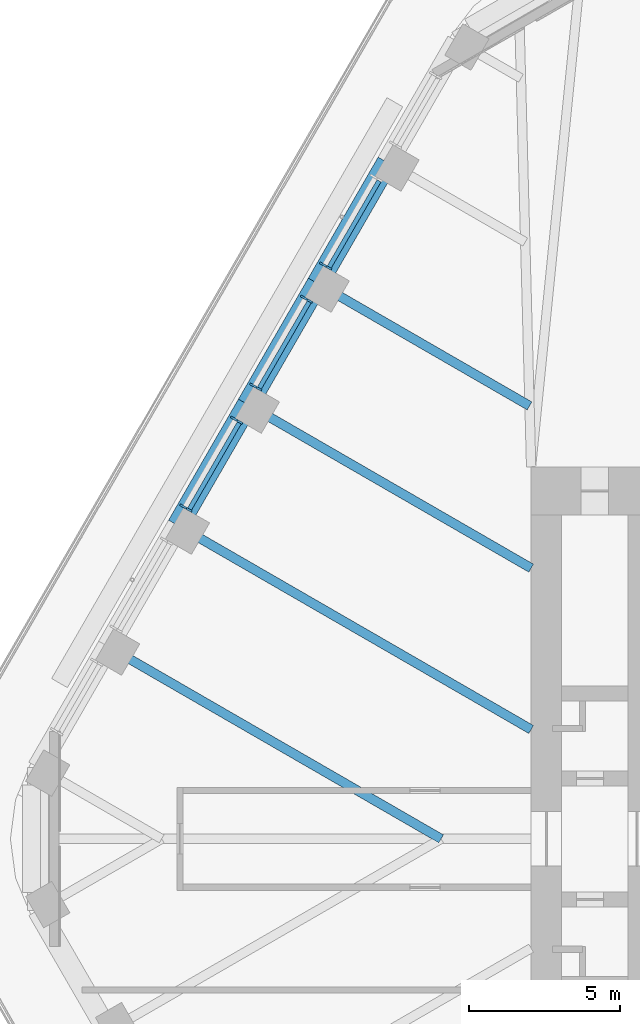
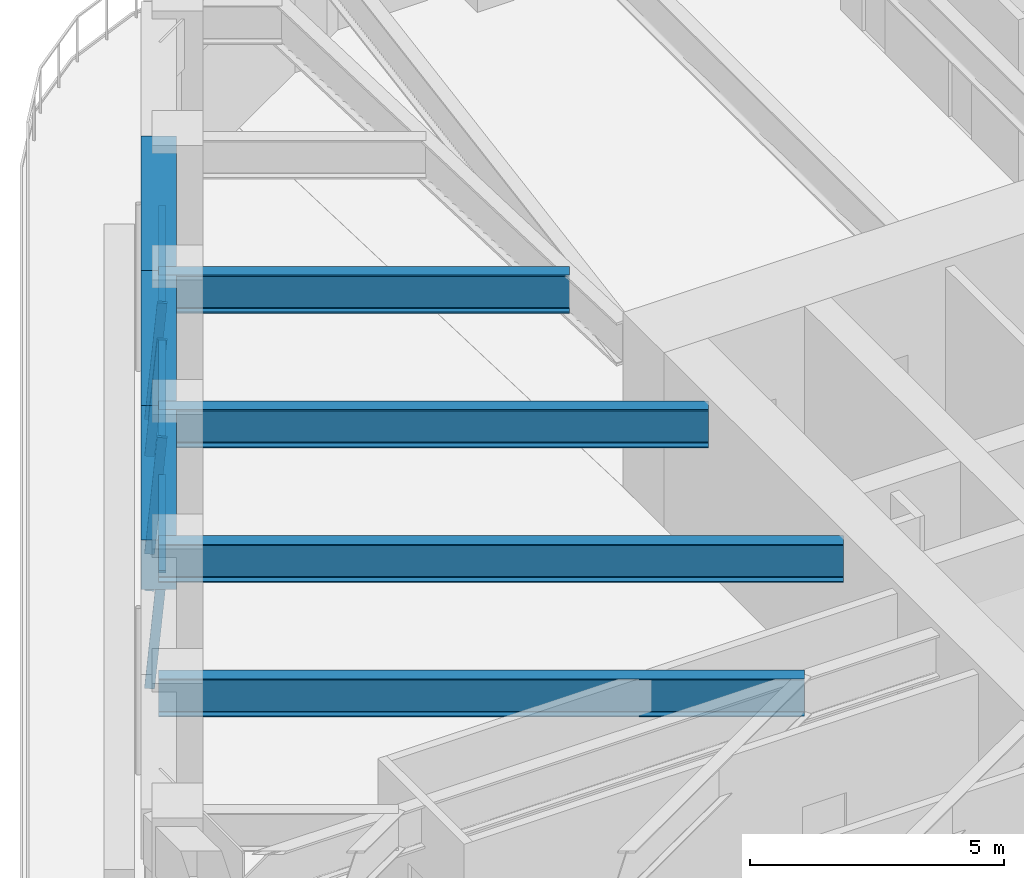
# One storey, part 7 of 20: 8 members, 7 beams, 3 elements without a shape of their own.
"""IFC4 building model written with IfcOpenShell, lengths in metres."""

from ifc_helpers import new_model, si_unit, direction, frame, origin, origin_2d, place, context, subcontext, project, spatial, rectangle, i_section, extrude, material, material_profile, profile_set, type_object, element, aggregate, save


model = new_model("IFC4")

# Units and contexts
model_context = context("Model", 3, precision=1e-05, world=origin(), true_north=direction((0.0, 1.0)))
body_context = subcontext(model_context, "Body", "Model", "MODEL_VIEW")
ifc_project = project(units=[si_unit("LENGTHUNIT", "METRE"), si_unit("AREAUNIT", "SQUARE_METRE"), si_unit("VOLUMEUNIT", "CUBIC_METRE"), si_unit("PLANEANGLEUNIT", "RADIAN"), si_unit("MASSUNIT", "GRAM", prefix="KILO")], contexts=[model_context])

# Site, building, storey
site_placement = place(None, origin())
site = spatial("IfcSite", under=ifc_project, at=site_placement, CompositionType="ELEMENT")
building_placement = place(site_placement, origin())
building = spatial("IfcBuilding", under=site, at=building_placement, Name="Tarfa Lantern Tower", CompositionType="ELEMENT")
storey_placement = place(building_placement, frame((0.0, 0.0, 265.89990234375)))
storey = spatial("IfcBuildingStorey", under=building, at=storey_placement, Name="L60", CompositionType="ELEMENT", Elevation=265.89990234375)

# Curtain wall, member
ifc_material_1 = material(Name="Aluminium framed curtain wall", Category="aluminium")
curtain_wall_type = type_object("IfcCurtainWallType", Name="CW3 CANTED GLAZING HIGH ZONE 2800", PredefinedType="USERDEFINED", material=ifc_material_1)
curtain_wall_1_placement = place(storey_placement, origin())
curtain_wall_1 = element("IfcCurtainWall", 1, at=curtain_wall_1_placement, inside=storey, type_object=curtain_wall_type, Name="CW3 NW L60", ObjectType="CURTAIN WALL", PredefinedType="USERDEFINED")
ifc_material_2 = material(Name="Aluminium mullion", Category="aluminium")
ifc_material_profile_1 = material_profile(ifc_material_2, rectangle(XDim=0.06494140625, YDim=0.199951171875, at=origin_2d()), Name="AL MULLION 65x200")
ifc_profile_set_1 = profile_set([ifc_material_profile_1], Name="Aluminium mullion")
member_type_1 = type_object("IfcMemberType", Name="CWM1 MULLION 65x200", PredefinedType="MULLION", material=ifc_profile_set_1)
member_1_placement = place(storey_placement, frame((-22.402587890625, 18.997802734375, 0.0), z_axis=(0.077032386753, -0.044465143199, 0.996036576854), x_axis=(0.499919672301, 0.866071776036, 0.0)))
member_1 = element("IfcMember", 2, at=member_1_placement, type_object=member_type_1, Name="CW3 mullion 2", PredefinedType="MULLION", context=body_context, shape_type="SweptSolid", body=[
    extrude(rectangle(XDim=0.06494140625, YDim=0.199951171875, at=origin_2d()), origin(), (0.0, 0.0, 1.0), 2.811279296875),
])

# Curtain wall, members
curtain_wall_2_placement = place(storey_placement, origin())
curtain_wall_2 = element("IfcCurtainWall", 3, at=curtain_wall_2_placement, inside=storey, type_object=curtain_wall_type, Name="CW3 NW L60", ObjectType="CURTAIN WALL", PredefinedType="USERDEFINED")
member_2_placement = place(storey_placement, frame((-23.034912109375, 17.90234375, 0.0), z_axis=(0.077032386753, -0.044465143199, 0.996036576854), x_axis=(0.499919672301, 0.866071776036, 0.0)))
member_2 = element("IfcMember", 4, at=member_2_placement, type_object=member_type_1, Name="CW3 mullion 1", PredefinedType="MULLION", context=body_context, shape_type="SweptSolid", body=[
    extrude(rectangle(XDim=0.06494140625, YDim=0.199951171875, at=origin_2d()), origin(), (0.0, 0.0, 1.0), 2.811279296875),
])
member_3_placement = place(storey_placement, frame((-24.7119140625, 14.997802734375, 0.0), z_axis=(0.077032386753, -0.044465143199, 0.996036576854), x_axis=(0.499919672301, 0.866071776036, 0.0)))
member_3 = element("IfcMember", 5, at=member_3_placement, type_object=member_type_1, Name="CW3 mullion 2", PredefinedType="MULLION", context=body_context, shape_type="SweptSolid", body=[
    extrude(rectangle(XDim=0.06494140625, YDim=0.199951171875, at=origin_2d()), origin(), (0.0, 0.0, 1.0), 2.811279296875),
])

curtain_wall_3_placement = place(storey_placement, origin())
curtain_wall_3 = element("IfcCurtainWall", 6, at=curtain_wall_3_placement, inside=storey, type_object=curtain_wall_type, Name="CW3 NW L60", ObjectType="CURTAIN WALL", PredefinedType="USERDEFINED")
member_4_placement = place(storey_placement, frame((-25.344482421875, 13.90234375, 0.0), z_axis=(0.077032386753, -0.044465143199, 0.996036576854), x_axis=(0.499919672301, 0.866071776036, 0.0)))
member_4 = element("IfcMember", 7, at=member_4_placement, type_object=member_type_1, Name="CW3 mullion 1", PredefinedType="MULLION", context=body_context, shape_type="SweptSolid", body=[
    extrude(rectangle(XDim=0.06494140625, YDim=0.199951171875, at=origin_2d()), origin(), (0.0, 0.0, 1.0), 2.811279296875),
])
member_5_placement = place(storey_placement, frame((-27.021240234375, 10.997802734375, 0.0), z_axis=(0.077032386753, -0.044465143199, 0.996036576854), x_axis=(0.499919672301, 0.866071776036, 0.0)))
member_5 = element("IfcMember", 8, at=member_5_placement, type_object=member_type_1, Name="CW3 mullion 2", PredefinedType="MULLION", context=body_context, shape_type="SweptSolid", body=[
    extrude(rectangle(XDim=0.06494140625, YDim=0.199951171875, at=origin_2d()), origin(), (0.0, 0.0, 1.0), 2.811279296875),
])

# Member
ifc_material_3 = material(Name="Aluminium transom", Category="aluminium")
ifc_material_profile_2 = material_profile(ifc_material_3, rectangle(XDim=0.14990234375, YDim=0.06494140625, at=origin_2d()), Name="AL TRANSOM 150x65")
ifc_profile_set_2 = profile_set([ifc_material_profile_2], Name="Aluminium transom")
member_type_2 = type_object("IfcMemberType", Name="CWT1 TRANSOM 150x65", PredefinedType="USERDEFINED", material=ifc_profile_set_2)
member_6_placement = place(storey_placement, frame((-20.52783203125, 21.75048828125, 2.767578125), z_axis=(-0.499979497339, -0.866037240677, 0.0), x_axis=(0.866037240677, -0.499979497339, 0.0)))
member_6 = element("IfcMember", 9, at=member_6_placement, type_object=member_type_2, Name="CW3 transom 1.2", ObjectType="TRANSOM", PredefinedType="USERDEFINED", context=body_context, shape_type="SweptSolid", body=[
    extrude(rectangle(XDim=0.14990234375, YDim=0.06494140625, at=origin_2d()), origin(), (0.0, 0.0, 1.0), 3.288818359375),
])

aggregate(curtain_wall_1, [member_1, member_6])

member_7_placement = place(storey_placement, frame((-22.837158203125, 17.75048828125, 2.767578125), z_axis=(-0.500035172766, -0.866005095826, 0.0), x_axis=(0.866005095826, -0.500035172766, 0.0)))
member_7 = element("IfcMember", 10, at=member_7_placement, type_object=member_type_2, Name="CW3 transom 1.2", ObjectType="TRANSOM", PredefinedType="USERDEFINED", context=body_context, shape_type="SweptSolid", body=[
    extrude(rectangle(XDim=0.14990234375, YDim=0.06494140625, at=origin_2d()), origin(), (0.0, 0.0, 1.0), 3.288818359375),
])

aggregate(curtain_wall_2, [member_2, member_3, member_7])

member_8_placement = place(storey_placement, frame((-25.146728515625, 13.75048828125, 2.767578125), z_axis=(-0.499979497339, -0.866037240677, 0.0), x_axis=(0.866037240677, -0.499979497339, 0.0)))
member_8 = element("IfcMember", 11, at=member_8_placement, type_object=member_type_2, Name="CW3 transom 1.2", ObjectType="TRANSOM", PredefinedType="USERDEFINED", context=body_context, shape_type="SweptSolid", body=[
    extrude(rectangle(XDim=0.14990234375, YDim=0.06494140625, at=origin_2d()), origin(), (0.0, 0.0, 1.0), 3.288818359375),
])

aggregate(curtain_wall_3, [member_4, member_5, member_8])

# Beams
ifc_material_4 = material(Name="Concrete C80/95", Category="concrete")
ifc_material_profile_3 = material_profile(ifc_material_4, rectangle(XDim=0.699951171875, YDim=1.199951171875, at=origin_2d()), Name="RC 700x1200")
ifc_profile_set_3 = profile_set([ifc_material_profile_3], Name="Concrete C80/95")
beam_type_1 = type_object("IfcBeamType", Name="EB3 RC 700x1200", PredefinedType="SPANDREL", material=ifc_profile_set_3)
beam_1_placement = place(storey_placement, frame((-20.25341796875, 22.360107421875, 3.400146484375), z_axis=(-0.499987836815, -0.866032426089, 0.0), x_axis=(0.866032426089, -0.499987836815, 0.0)))
element("IfcBeam", 12, at=beam_1_placement, inside=storey, type_object=beam_type_1, Name="Edge beam NW1", PredefinedType="SPANDREL", context=body_context, shape_type="SweptSolid", body=[
    extrude(rectangle(XDim=0.699951171875, YDim=1.199951171875, at=origin_2d()), origin(), (0.0, 0.0, 1.0), 4.61865234375),
])
beam_2_placement = place(storey_placement, frame((-22.562744140625, 18.360107421875, 3.400146484375), z_axis=(-0.500027479704, -0.866009537788, 0.0), x_axis=(0.866009537788, -0.500027479704, 0.0)))
element("IfcBeam", 13, at=beam_2_placement, inside=storey, type_object=beam_type_1, Name="Edge beam NW2", PredefinedType="SPANDREL", context=body_context, shape_type="SweptSolid", body=[
    extrude(rectangle(XDim=0.699951171875, YDim=1.199951171875, at=origin_2d()), origin(), (0.0, 0.0, 1.0), 4.618896484375),
])
beam_3_placement = place(storey_placement, frame((-24.872314453125, 14.360107421875, 3.400146484375), z_axis=(-0.499987836815, -0.866032426089, 0.0), x_axis=(0.866032426089, -0.499987836815, 0.0)))
element("IfcBeam", 14, at=beam_3_placement, inside=storey, type_object=beam_type_1, Name="Edge beam NW3", PredefinedType="SPANDREL", context=body_context, shape_type="SweptSolid", body=[
    extrude(rectangle(XDim=0.699951171875, YDim=1.199951171875, at=origin_2d()), origin(), (0.0, 0.0, 1.0), 4.61865234375),
])
ifc_material_5 = material(Name="Steel S460M", Category="steel")
ifc_material_profile_4 = material_profile(ifc_material_5, i_section(OverallWidth=0.305419921875, OverallDepth=0.91845703125, WebThickness=0.017333984375, FlangeThickness=0.02783203125, FilletRadius=0.01904296875, at=origin_2d()), Name="UB914x305x253")
ifc_profile_set_4 = profile_set([ifc_material_profile_4], Name="Steel S460M")
beam_type_2 = type_object("IfcBeamType", Name="UB914x305x253", PredefinedType="BEAM", material=ifc_profile_set_4)
beam_4_placement = place(storey_placement, frame((-22.562744140625, 18.360107421875, 3.541015625), z_axis=(0.866010787764, -0.500025314835, 0.0), x_axis=(0.500025314835, 0.866010787764, 0.0)))
element("IfcBeam", 15, at=beam_4_placement, inside=storey, type_object=beam_type_2, Name="Floor beam NW2", PredefinedType="BEAM", context=body_context, shape_type="SweptSolid", body=[
    extrude(i_section(OverallWidth=0.305419921875, OverallDepth=0.91845703125, WebThickness=0.017333984375, FlangeThickness=0.02783203125, FilletRadius=0.01904296875, at=origin_2d()), origin(), (0.0, 0.0, 1.0), 8.09423828125),
])
beam_5_placement = place(storey_placement, frame((-24.872314453125, 14.360107421875, 3.541015625), z_axis=(0.8660244219, -0.500001700669, 0.0), x_axis=(0.500001700669, 0.8660244219, 0.0)))
element("IfcBeam", 16, at=beam_5_placement, inside=storey, type_object=beam_type_2, Name="Floor beam NW3", PredefinedType="BEAM", context=body_context, shape_type="SweptSolid", body=[
    extrude(i_section(OverallWidth=0.305419921875, OverallDepth=0.91845703125, WebThickness=0.017333984375, FlangeThickness=0.02783203125, FilletRadius=0.01904296875, at=origin_2d()), origin(), (0.0, 0.0, 1.0), 10.822265625),
])
beam_6_placement = place(storey_placement, frame((-27.181640625, 10.360107421875, 3.541015625), z_axis=(0.866018002818, -0.500012818631, 0.0), x_axis=(0.500012818631, 0.866018002818, 0.0)))
element("IfcBeam", 17, at=beam_6_placement, inside=storey, type_object=beam_type_2, Name="Floor beam NW4", PredefinedType="BEAM", context=body_context, shape_type="SweptSolid", body=[
    extrude(i_section(OverallWidth=0.305419921875, OverallDepth=0.91845703125, WebThickness=0.017333984375, FlangeThickness=0.02783203125, FilletRadius=0.01904296875, at=origin_2d()), origin(), (0.0, 0.0, 1.0), 13.489013671875),
])
beam_7_placement = place(storey_placement, frame((-29.490966796875, 6.360107421875, 3.541015625), z_axis=(0.866022258038, -0.500005448553, 0.0), x_axis=(0.500005448553, 0.866022258038, 0.0)))
element("IfcBeam", 18, at=beam_7_placement, inside=storey, type_object=beam_type_2, Name="Floor beam NW5", PredefinedType="BEAM", context=body_context, shape_type="SweptSolid", body=[
    extrude(i_section(OverallWidth=0.305419921875, OverallDepth=0.91845703125, WebThickness=0.017333984375, FlangeThickness=0.02783203125, FilletRadius=0.01904296875, at=origin_2d()), origin(), (0.0, 0.0, 1.0), 12.719970703125),
])

save(model, "model.ifc")
